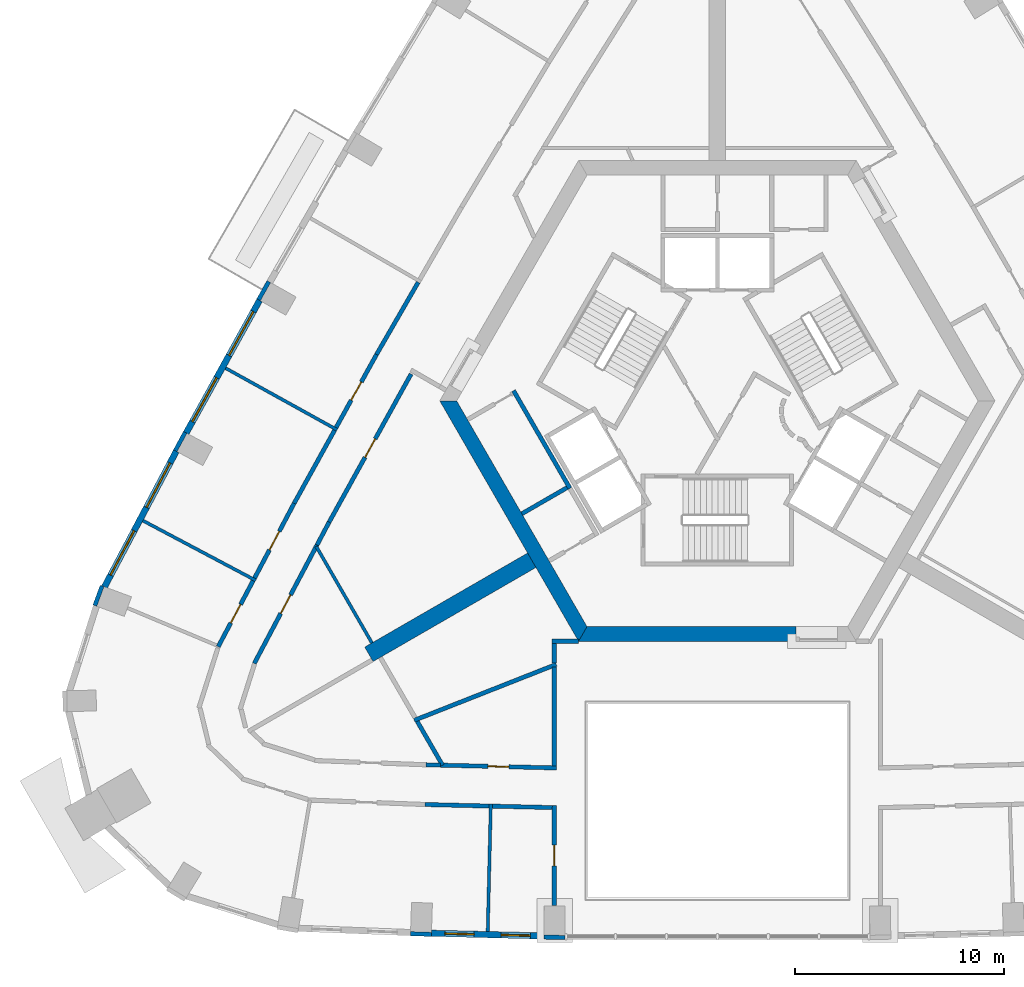
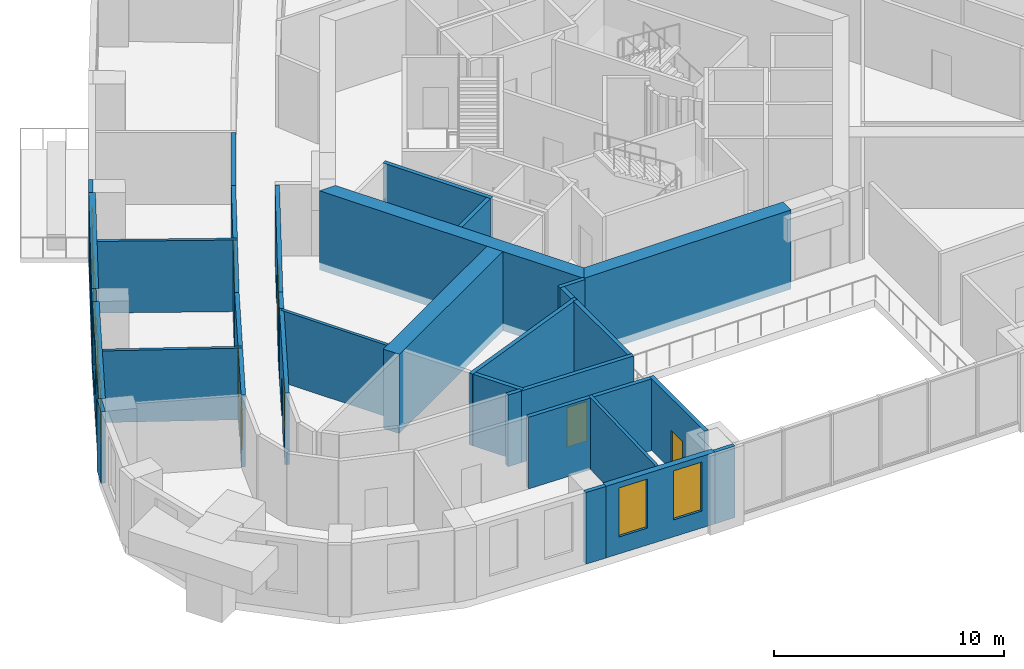
# One storey, part 4 of 13: 35 walls, 7 doors, 6 windows, 13 openings.
"""IFC4 building model written with IfcOpenShell, lengths in metres."""

from ifc_helpers import new_model, si_unit, direction, frame, frame_2d, origin, place, context, subcontext, project, spatial, polyline, rectangle, outline, extrude, material, layer, layer_set, type_object, element, fill, save


model = new_model("IFC4")

# Units and contexts
model_context = context("Model", 3, precision=1e-05, world=origin(), true_north=direction((0.0, 1.0)))
body_context = subcontext(model_context, "Body", "Model", "MODEL_VIEW")
ifc_project = project(units=[si_unit("LENGTHUNIT", "METRE"), si_unit("AREAUNIT", "SQUARE_METRE"), si_unit("VOLUMEUNIT", "CUBIC_METRE"), si_unit("PLANEANGLEUNIT", "RADIAN"), si_unit("MASSUNIT", "GRAM", prefix="KILO")], contexts=[model_context])

# Site, building, storey
site_placement = place(None, origin())
site = spatial("IfcSite", under=ifc_project, at=site_placement, CompositionType="ELEMENT")
building_placement = place(site_placement, origin())
building = spatial("IfcBuilding", under=site, at=building_placement, Name="Entoto Arch Interchange Tower", CompositionType="ELEMENT")
storey_placement = place(building_placement, frame((0.0, 0.0, 223.39990234375)))
storey = spatial("IfcBuildingStorey", under=building, at=storey_placement, Name="L50", CompositionType="ELEMENT", Elevation=223.39990234375)

# Walls
ifc_material_1 = material(Name="Concrete C50/60", Category="concrete")
ifc_layer_1 = layer(ifc_material_1, 0.800048828125)
ifc_layer_set_1 = layer_set([ifc_layer_1], Name="Concrete C50/60")
wall_type_1 = type_object("IfcWallType", Name="Buttress wall 800 C50/60", PredefinedType="SHEAR", material=ifc_layer_set_1)
wall_1_placement = place(storey_placement, frame((-8.876953125, -5.125, -0.39990234375), z_axis=(0.0, 0.0, 1.0), x_axis=(-0.866017533419, -0.500013631625, 0.0)))
element("IfcWall", 1, at=wall_1_placement, inside=storey, type_object=wall_type_1, Name="Buttress wall SW L50", PredefinedType="SHEAR", context=body_context, shape_type="SweptSolid", body=[
    extrude(rectangle(XDim=8.999755859375, YDim=0.800048828125, at=frame_2d((4.5, 0.0))), origin(), (0.0, 0.0, 1.0), 4.199951171875),
])
ifc_layer_2 = layer(ifc_material_1, 0.699951171875)
ifc_layer_set_2 = layer_set([ifc_layer_2], Name="Concrete C50/60")
wall_type_2 = type_object("IfcWallType", Name="Core wall 700 C50/60", PredefinedType="SHEAR", material=ifc_layer_set_2)
wall_2_placement = place(storey_placement, frame((0.0, 0.0, -0.39990234375)))
element("IfcWall", 2, at=wall_2_placement, inside=storey, type_object=wall_type_2, Name="Core wall SW L50", PredefinedType="SHEAR", context=body_context, shape_type="SweptSolid", body=[
    extrude(outline(polyline([(-13.279052734375, 2.5), (-6.639892578125, -9.0), (-6.235107421875, -8.300048828125), (-12.470947265625, 2.5), (-13.279052734375, 2.5)])), origin(), (0.0, 0.0, 1.0), 4.199951171875),
])
wall_3_placement = place(storey_placement, frame((0.0, 0.0, -0.39990234375)))
element("IfcWall", 3, at=wall_3_placement, inside=storey, type_object=wall_type_2, Name="Core wall S L50", PredefinedType="SHEAR", context=body_context, shape_type="SweptSolid", body=[
    extrude(outline(polyline([(3.75, -9.0), (3.75, -8.300048828125), (-6.235107421875, -8.300048828125), (-6.639892578125, -9.0), (3.75, -9.0)])), origin(), (0.0, 0.0, 1.0), 4.199951171875),
])
ifc_material_2 = material(Name="Gypsum board partition on steel studs", Category="steel")
ifc_layer_3 = layer(ifc_material_2, 0.14990234375)
ifc_layer_set_3 = layer_set([ifc_layer_3], Name="Gypsum board partition on steel studs")
wall_type_3 = type_object("IfcWallType", Name="PARTITION 150", PredefinedType="PARTITIONING", material=ifc_layer_set_3)
wall_4_placement = place(storey_placement, frame((-16.52490234375, -9.0791015625, 0.0), z_axis=(0.0, 0.0, 1.0), x_axis=(-0.499943228252, 0.866058178487, 0.0)))
element("IfcWall", 4, at=wall_4_placement, inside=storey, type_object=wall_type_3, Name="wall:L50:p113", PredefinedType="PARTITIONING", context=body_context, shape_type="SweptSolid", body=[
    extrude(rectangle(XDim=5.32861328125, YDim=0.14990234375, at=frame_2d((2.664306640625, 0.0))), origin(), (0.0, 0.0, 1.0), 3.800048828125),
])
wall_5_placement = place(storey_placement, frame((-18.18896484375, 1.111083984375, 0.0), z_axis=(0.0, 0.0, 1.0), x_axis=(-0.874928335558, 0.484252421405, 0.0)))
element("IfcWall", 5, at=wall_5_placement, inside=storey, type_object=wall_type_3, Name="wall:L50:p126", PredefinedType="PARTITIONING", context=body_context, shape_type="SweptSolid", body=[
    extrude(rectangle(XDim=6.099853515625, YDim=0.14990234375, at=frame_2d((3.0498046875, 0.0))), origin(), (0.0, 0.0, 1.0), 3.800048828125),
])
wall_6_placement = place(storey_placement, frame((-22.0869140625, -6.089111328125, 0.0), z_axis=(0.0, 0.0, 1.0), x_axis=(-0.883611647524, 0.468220521079, 0.0)))
element("IfcWall", 6, at=wall_6_placement, inside=storey, type_object=wall_type_3, Name="wall:L50:p127", PredefinedType="PARTITIONING", context=body_context, shape_type="SweptSolid", body=[
    extrude(rectangle(XDim=6.10009765625, YDim=0.14990234375, at=frame_2d((3.050048828125, 0.0))), origin(), (0.0, 0.0, 1.0), 3.800048828125),
])
wall_7_placement = place(storey_placement, frame((-10.837890625, -16.785888671875, 0.0), z_axis=(0.0, 0.0, 1.0), x_axis=(-0.024134212614, -0.999708727471, 0.0)))
element("IfcWall", 7, at=wall_7_placement, inside=storey, type_object=wall_type_3, Name="wall:L50:p130", PredefinedType="PARTITIONING", context=body_context, shape_type="SweptSolid", body=[
    extrude(rectangle(XDim=6.099853515625, YDim=0.14990234375, at=frame_2d((3.0498046875, 0.0))), origin(), (0.0, 0.0, 1.0), 3.800048828125),
])

# Wall, opening, door
ifc_layer_4 = layer(ifc_material_2, 0.199951171875)
ifc_layer_set_4 = layer_set([ifc_layer_4], Name="Gypsum board partition on steel studs")
wall_type_4 = type_object("IfcWallType", Name="PARTITION 200", PredefinedType="PARTITIONING", material=ifc_layer_set_4)
wall_8_placement = place(storey_placement, frame((-14.652099609375, 3.782958984375, 0.0), z_axis=(0.0, 0.0, 1.0), x_axis=(-0.484249955458, -0.874929700398, 0.0)))
wall_8 = element("IfcWall", 8, at=wall_8_placement, inside=storey, type_object=wall_type_4, Name="wall:L50:p025", PredefinedType="PARTITIONING", context=body_context, shape_type="SweptSolid", body=[
    extrude(rectangle(XDim=8.098876953125, YDim=0.199951171875, at=frame_2d((4.04931640625, 0.0))), origin(), (0.0, 0.0, 1.0), 3.800048828125),
])
opening_1_placement = place(wall_8_placement, frame((3.550048828125, 0.0, 0.0)))
opening_1 = element("IfcOpeningElement", 9, at=opening_1_placement, cuts=wall_8, Name="Opening L50-D21", PredefinedType="OPENING", context=body_context, shape_type="SweptSolid", body=[
    extrude(rectangle(XDim=1.0, YDim=2.10009765625, at=frame_2d((0.5, 1.050048828125))), frame((0.0, 0.10986328125, 0.0), z_axis=(0.0, -1.0, 0.0), x_axis=(1.0, 0.0, 0.0)), (0.0, 0.0, 1.0), 0.219970703125),
])
ifc_material_3 = material(Name="Timber door leaf in Steel S235 frame", Category="steel")
door_type = type_object("IfcDoorType", Name="DOOR DS-10 1000x2100", OperationType="SINGLE_SWING_LEFT", PredefinedType="DOOR", material=ifc_material_3)
door_1_placement = place(opening_1_placement, origin())
door_1 = element("IfcDoor", 10, at=door_1_placement, inside=storey, type_object=door_type, Name="door:L50:21", OperationType="SINGLE_SWING_LEFT", OverallHeight=2.10009765625, OverallWidth=1.0, PredefinedType="DOOR", context=body_context, shape_type="SweptSolid", body=[
    extrude(rectangle(XDim=1.0, YDim=2.10009765625, at=frame_2d((0.5, 1.050048828125))), frame((0.0, 0.02490234375, 0.0), z_axis=(0.0, -1.0, 0.0), x_axis=(1.0, 0.0, 0.0)), (0.0, 0.0, 1.0), 0.050048828125),
])
fill(opening_1, door_1)

# Wall
wall_9_placement = place(storey_placement, frame((-18.573974609375, -3.302978515625, 0.0), z_axis=(0.0, 0.0, 1.0), x_axis=(-0.468458328651, -0.883485593724, 0.0)))
element("IfcWall", 11, at=wall_9_placement, inside=storey, type_object=wall_type_4, Name="wall:L50:p026", PredefinedType="PARTITIONING", context=body_context, shape_type="SweptSolid", body=[
    extrude(rectangle(XDim=1.23828125, YDim=0.199951171875, at=frame_2d((0.619140625, 0.0))), origin(), (0.0, 0.0, 1.0), 3.800048828125),
])

# Wall, opening, door
wall_10_placement = place(storey_placement, frame((-13.24609375, -14.927001953125, 0.0), z_axis=(0.0, 0.0, 1.0), x_axis=(0.999708107757, -0.024159869312, 0.0)))
wall_10 = element("IfcWall", 12, at=wall_10_placement, inside=storey, type_object=wall_type_4, Name="wall:L50:p027", PredefinedType="PARTITIONING", context=body_context, shape_type="SweptSolid", body=[
    extrude(rectangle(XDim=5.5478515625, YDim=0.199951171875, at=frame_2d((2.77392578125, 0.0))), origin(), (0.0, 0.0, 1.0), 3.800048828125),
])
opening_2_placement = place(wall_10_placement, frame((2.27392578125, 0.0, 0.0)))
opening_2 = element("IfcOpeningElement", 13, at=opening_2_placement, cuts=wall_10, Name="Opening L50-D22", PredefinedType="OPENING", context=body_context, shape_type="SweptSolid", body=[
    extrude(rectangle(XDim=1.0, YDim=2.10009765625, at=frame_2d((0.5, 1.050048828125))), frame((0.0, 0.10986328125, 0.0), z_axis=(0.0, -1.0, 0.0), x_axis=(1.0, 0.0, 0.0)), (0.0, 0.0, 1.0), 0.219970703125),
])
door_2_placement = place(opening_2_placement, origin())
door_2 = element("IfcDoor", 14, at=door_2_placement, inside=storey, type_object=door_type, Name="door:L50:22", OperationType="SINGLE_SWING_LEFT", OverallHeight=2.10009765625, OverallWidth=1.0, PredefinedType="DOOR", context=body_context, shape_type="SweptSolid", body=[
    extrude(rectangle(XDim=1.0, YDim=2.10009765625, at=frame_2d((0.5, 1.050048828125))), frame((0.0, 0.02490234375, 0.0), z_axis=(0.0, -1.0, 0.0), x_axis=(1.0, 0.0, 0.0)), (0.0, 0.0, 1.0), 0.050048828125),
])
fill(opening_2, door_2)

wall_11_placement = place(storey_placement, frame((-19.154052734375, -4.39697265625, 0.0), z_axis=(0.0, 0.0, 1.0), x_axis=(-0.468118749105, -0.883665568378, 0.0)))
wall_11 = element("IfcWall", 15, at=wall_11_placement, inside=storey, type_object=wall_type_4, Name="wall:L50:p028", PredefinedType="PARTITIONING", context=body_context, shape_type="SweptSolid", body=[
    extrude(rectangle(XDim=6.40869140625, YDim=0.199951171875, at=frame_2d((3.204345703125, 0.0))), origin(), (0.0, 0.0, 1.0), 3.800048828125),
])
opening_3_placement = place(wall_11_placement, frame((2.7041015625, 0.0, 0.0)))
opening_3 = element("IfcOpeningElement", 16, at=opening_3_placement, cuts=wall_11, Name="Opening L50-D23", PredefinedType="OPENING", context=body_context, shape_type="SweptSolid", body=[
    extrude(rectangle(XDim=1.0, YDim=2.10009765625, at=frame_2d((0.5, 1.050048828125))), frame((0.0, 0.10986328125, 0.0), z_axis=(0.0, -1.0, 0.0), x_axis=(1.0, 0.0, 0.0)), (0.0, 0.0, 1.0), 0.219970703125),
])
door_3_placement = place(opening_3_placement, origin())
door_3 = element("IfcDoor", 17, at=door_3_placement, inside=storey, type_object=door_type, Name="door:L50:23", OperationType="SINGLE_SWING_LEFT", OverallHeight=2.10009765625, OverallWidth=1.0, PredefinedType="DOOR", context=body_context, shape_type="SweptSolid", body=[
    extrude(rectangle(XDim=1.0, YDim=2.10009765625, at=frame_2d((0.5, 1.050048828125))), frame((0.0, 0.02490234375, 0.0), z_axis=(0.0, -1.0, 0.0), x_axis=(1.0, 0.0, 0.0)), (0.0, 0.0, 1.0), 0.050048828125),
])
fill(opening_3, door_3)

# Wall
wall_12_placement = place(storey_placement, frame((-13.928955078125, -14.910888671875, 0.0), z_axis=(0.0, 0.0, 1.0), x_axis=(0.999721713829, -0.023590144123, 0.0)))
element("IfcWall", 18, at=wall_12_placement, inside=storey, type_object=wall_type_4, Name="wall:L50:p034", PredefinedType="PARTITIONING", context=body_context, shape_type="SweptSolid", body=[
    extrude(rectangle(XDim=0.68310546875, YDim=0.199951171875, at=frame_2d((0.341552734375, 0.0))), origin(), (0.0, 0.0, 1.0), 3.800048828125),
])

# Wall, opening, door
wall_13_placement = place(storey_placement, frame((-18.239990234375, 1.22509765625, 0.0), z_axis=(0.0, 0.0, 1.0), x_axis=(0.484411997038, 0.874839995156, 0.0)))
wall_13 = element("IfcWall", 19, at=wall_13_placement, inside=storey, type_object=wall_type_4, Name="wall:L50:p055", PredefinedType="PARTITIONING", context=body_context, shape_type="SweptSolid", body=[
    extrude(rectangle(XDim=3.99267578125, YDim=0.199951171875, at=frame_2d((1.996337890625, 0.0))), origin(), (0.0, 0.0, 1.0), 3.800048828125),
])
opening_4_placement = place(wall_13_placement, frame((1.49609375, 0.0, 0.0)))
opening_4 = element("IfcOpeningElement", 20, at=opening_4_placement, cuts=wall_13, Name="Opening L50-D10", PredefinedType="OPENING", context=body_context, shape_type="SweptSolid", body=[
    extrude(rectangle(XDim=1.0, YDim=2.10009765625, at=frame_2d((0.5, 1.050048828125))), frame((0.0, 0.10986328125, 0.0), z_axis=(0.0, -1.0, 0.0), x_axis=(1.0, 0.0, 0.0)), (0.0, 0.0, 1.0), 0.219970703125),
])
door_4_placement = place(opening_4_placement, origin())
door_4 = element("IfcDoor", 21, at=door_4_placement, inside=storey, type_object=door_type, Name="door:L50:10", OperationType="SINGLE_SWING_LEFT", OverallHeight=2.10009765625, OverallWidth=1.0, PredefinedType="DOOR", context=body_context, shape_type="SweptSolid", body=[
    extrude(rectangle(XDim=1.0, YDim=2.10009765625, at=frame_2d((0.5, 1.050048828125))), frame((0.0, 0.02490234375, 0.0), z_axis=(0.0, -1.0, 0.0), x_axis=(1.0, 0.0, 0.0)), (0.0, 0.0, 1.0), 0.050048828125),
])
fill(opening_4, door_4)

# Wall
wall_14_placement = place(storey_placement, frame((-16.305908203125, 4.718017578125, 0.0), z_axis=(0.0, 0.0, 1.0), x_axis=(0.499803646539, 0.866138738832, 0.0)))
element("IfcWall", 22, at=wall_14_placement, inside=storey, type_object=wall_type_4, Name="wall:L50:p056", PredefinedType="PARTITIONING", context=body_context, shape_type="SweptSolid", body=[
    extrude(rectangle(XDim=3.9912109375, YDim=0.199951171875, at=frame_2d((1.99560546875, 0.0))), origin(), (0.0, 0.0, 1.0), 3.800048828125),
])

# Wall, opening, door
wall_15_placement = place(storey_placement, frame((-22.139892578125, -5.97607421875, 0.0), z_axis=(0.0, 0.0, 1.0), x_axis=(0.467979143965, 0.883739509592, 0.0)))
wall_15 = element("IfcWall", 23, at=wall_15_placement, inside=storey, type_object=wall_type_4, Name="wall:L50:p057", PredefinedType="PARTITIONING", context=body_context, shape_type="SweptSolid", body=[
    extrude(rectangle(XDim=4.048828125, YDim=0.199951171875, at=frame_2d((2.0244140625, 0.0))), origin(), (0.0, 0.0, 1.0), 3.800048828125),
])
opening_5_placement = place(wall_15_placement, frame((1.52392578125, 0.0, 0.0)))
opening_5 = element("IfcOpeningElement", 24, at=opening_5_placement, cuts=wall_15, Name="Opening L50-D11", PredefinedType="OPENING", context=body_context, shape_type="SweptSolid", body=[
    extrude(rectangle(XDim=1.0, YDim=2.10009765625, at=frame_2d((0.5, 1.050048828125))), frame((0.0, 0.10986328125, 0.0), z_axis=(0.0, -1.0, 0.0), x_axis=(1.0, 0.0, 0.0)), (0.0, 0.0, 1.0), 0.219970703125),
])
door_5_placement = place(opening_5_placement, origin())
door_5 = element("IfcDoor", 25, at=door_5_placement, inside=storey, type_object=door_type, Name="door:L50:11", OperationType="SINGLE_SWING_LEFT", OverallHeight=2.10009765625, OverallWidth=1.0, PredefinedType="DOOR", context=body_context, shape_type="SweptSolid", body=[
    extrude(rectangle(XDim=1.0, YDim=2.10009765625, at=frame_2d((0.5, 1.050048828125))), frame((0.0, 0.02490234375, 0.0), z_axis=(0.0, -1.0, 0.0), x_axis=(1.0, 0.0, 0.0)), (0.0, 0.0, 1.0), 0.050048828125),
])
fill(opening_5, door_5)

# Wall
wall_16_placement = place(storey_placement, frame((-20.2451171875, -2.39794921875, 0.0), z_axis=(0.0, 0.0, 1.0), x_axis=(0.484328424129, 0.874886265511, 0.0)))
element("IfcWall", 26, at=wall_16_placement, inside=storey, type_object=wall_type_4, Name="wall:L50:p058", PredefinedType="PARTITIONING", context=body_context, shape_type="SweptSolid", body=[
    extrude(rectangle(XDim=3.9912109375, YDim=0.199951171875, at=frame_2d((1.99560546875, 0.0))), origin(), (0.0, 0.0, 1.0), 3.800048828125),
])

# Wall, opening, door
wall_17_placement = place(storey_placement, frame((-23.8779296875, -9.256103515625, 0.0), z_axis=(0.0, 0.0, 1.0), x_axis=(0.46795384568, 0.883752905689, 0.0)))
wall_17 = element("IfcWall", 27, at=wall_17_placement, inside=storey, type_object=wall_type_4, Name="wall:L50:p059", PredefinedType="PARTITIONING", context=body_context, shape_type="SweptSolid", body=[
    extrude(rectangle(XDim=3.562255859375, YDim=0.199951171875, at=frame_2d((1.78125, 0.0))), origin(), (0.0, 0.0, 1.0), 3.800048828125),
])
opening_6_placement = place(wall_17_placement, frame((1.281005859375, 0.0, 0.0)))
opening_6 = element("IfcOpeningElement", 28, at=opening_6_placement, cuts=wall_17, Name="Opening L50-D12", PredefinedType="OPENING", context=body_context, shape_type="SweptSolid", body=[
    extrude(rectangle(XDim=1.0, YDim=2.10009765625, at=frame_2d((0.5, 1.050048828125))), frame((0.0, 0.10986328125, 0.0), z_axis=(0.0, -1.0, 0.0), x_axis=(1.0, 0.0, 0.0)), (0.0, 0.0, 1.0), 0.219970703125),
])
door_6_placement = place(opening_6_placement, origin())
door_6 = element("IfcDoor", 29, at=door_6_placement, inside=storey, type_object=door_type, Name="door:L50:12", OperationType="SINGLE_SWING_LEFT", OverallHeight=2.10009765625, OverallWidth=1.0, PredefinedType="DOOR", context=body_context, shape_type="SweptSolid", body=[
    extrude(rectangle(XDim=1.0, YDim=2.10009765625, at=frame_2d((0.5, 1.050048828125))), frame((0.0, 0.02490234375, 0.0), z_axis=(0.0, -1.0, 0.0), x_axis=(1.0, 0.0, 0.0)), (0.0, 0.0, 1.0), 0.050048828125),
])
fill(opening_6, door_6)

# Walls
wall_18_placement = place(storey_placement, frame((-10.9150390625, -16.884033203125, 0.0), z_axis=(0.0, 0.0, 1.0), x_axis=(-0.999710384303, 0.024065483947, 0.0)))
element("IfcWall", 30, at=wall_18_placement, inside=storey, type_object=wall_type_4, Name="wall:L50:p064", PredefinedType="PARTITIONING", context=body_context, shape_type="SweptSolid", body=[
    extrude(rectangle(XDim=3.073974609375, YDim=0.199951171875, at=frame_2d((1.537109375, 0.0))), origin(), (0.0, 0.0, 1.0), 3.800048828125),
])
wall_19_placement = place(storey_placement, frame((-7.89990234375, -16.95703125, 0.0), z_axis=(0.0, 0.0, 1.0), x_axis=(-0.999709338637, 0.024108883071, 0.0)))
element("IfcWall", 31, at=wall_19_placement, inside=storey, type_object=wall_type_4, Name="wall:L50:p066", PredefinedType="PARTITIONING", context=body_context, shape_type="SweptSolid", body=[
    extrude(rectangle(XDim=2.86572265625, YDim=0.199951171875, at=frame_2d((1.432861328125, 0.0))), origin(), (0.0, 0.0, 1.0), 3.800048828125),
])
wall_20_placement = place(storey_placement, frame((-7.18798828125, -1.64990234375, 0.0), z_axis=(0.0, 0.0, 1.0), x_axis=(-0.866022959057, -0.500004234368, 0.0)))
element("IfcWall", 32, at=wall_20_placement, inside=storey, type_object=wall_type_4, Name="wall:L50:p078", PredefinedType="PARTITIONING", context=body_context, shape_type="SweptSolid", body=[
    extrude(rectangle(XDim=2.5, YDim=0.199951171875, at=frame_2d((1.25, 0.0))), origin(), (0.0, 0.0, 1.0), 3.800048828125),
])
wall_21_placement = place(storey_placement, frame((-9.7509765625, 2.989990234375, 0.0), z_axis=(0.0, 0.0, 1.0), x_axis=(0.499955951776, -0.866050833545, 0.0)))
element("IfcWall", 33, at=wall_21_placement, inside=storey, type_object=wall_type_4, Name="wall:L50:p080", PredefinedType="PARTITIONING", context=body_context, shape_type="SweptSolid", body=[
    extrude(rectangle(XDim=5.400390625, YDim=0.199951171875, at=frame_2d((2.7001953125, 0.0))), origin(), (0.0, 0.0, 1.0), 3.800048828125),
])
wall_22_placement = place(storey_placement, frame((-7.800048828125, -10.041015625, 0.0), z_axis=(0.0, 0.0, 1.0), x_axis=(0.0, 1.0, 0.0)))
element("IfcWall", 34, at=wall_22_placement, inside=storey, type_object=wall_type_4, Name="wall:L50:p102", PredefinedType="PARTITIONING", context=body_context, shape_type="SweptSolid", body=[
    extrude(rectangle(XDim=0.94189453125, YDim=0.199951171875, at=frame_2d((0.470947265625, 0.0))), origin(), (0.0, 0.0, 1.0), 3.800048828125),
])
wall_23_placement = place(storey_placement, frame((-7.89990234375, -8.9990234375, 0.0), z_axis=(0.0, 0.0, 1.0), x_axis=(1.0, 0.0, 0.0)))
element("IfcWall", 35, at=wall_23_placement, inside=storey, type_object=wall_type_4, Name="wall:L50:p103", PredefinedType="PARTITIONING", context=body_context, shape_type="SweptSolid", body=[
    extrude(rectangle(XDim=1.2587890625, YDim=0.199951171875, at=frame_2d((0.62939453125, 0.0))), origin(), (0.0, 0.0, 1.0), 3.800048828125),
])
wall_24_placement = place(storey_placement, frame((-7.800048828125, -14.958984375, 0.0), z_axis=(0.0, 0.0, 1.0), x_axis=(0.0, 1.0, 0.0)))
element("IfcWall", 36, at=wall_24_placement, inside=storey, type_object=wall_type_4, Name="wall:L50:p104", PredefinedType="PARTITIONING", context=body_context, shape_type="SweptSolid", body=[
    extrude(rectangle(XDim=4.718017578125, YDim=0.199951171875, at=frame_2d((2.35888671875, 0.0))), origin(), (0.0, 0.0, 1.0), 3.800048828125),
])

# Wall, opening, door
wall_25_placement = place(storey_placement, frame((-7.800048828125, -21.64111328125, 0.0), z_axis=(0.0, 0.0, 1.0), x_axis=(0.0, 1.0, 0.0)))
wall_25 = element("IfcWall", 37, at=wall_25_placement, inside=storey, type_object=wall_type_4, Name="wall:L50:p106", PredefinedType="PARTITIONING", context=body_context, shape_type="SweptSolid", body=[
    extrude(rectangle(XDim=4.7822265625, YDim=0.199951171875, at=frame_2d((2.39111328125, 0.0))), origin(), (0.0, 0.0, 1.0), 3.800048828125),
])
opening_7_placement = place(wall_25_placement, frame((1.89111328125, 0.0, 0.0)))
opening_7 = element("IfcOpeningElement", 38, at=opening_7_placement, cuts=wall_25, Name="Opening L50-D15", PredefinedType="OPENING", context=body_context, shape_type="SweptSolid", body=[
    extrude(rectangle(XDim=1.0, YDim=2.10009765625, at=frame_2d((0.5, 1.050048828125))), frame((0.0, 0.10986328125, 0.0), z_axis=(0.0, -1.0, 0.0), x_axis=(1.0, 0.0, 0.0)), (0.0, 0.0, 1.0), 0.219970703125),
])
door_7_placement = place(opening_7_placement, origin())
door_7 = element("IfcDoor", 39, at=door_7_placement, inside=storey, type_object=door_type, Name="door:L50:15", OperationType="SINGLE_SWING_LEFT", OverallHeight=2.10009765625, OverallWidth=1.0, PredefinedType="DOOR", context=body_context, shape_type="SweptSolid", body=[
    extrude(rectangle(XDim=1.0, YDim=2.10009765625, at=frame_2d((0.5, 1.050048828125))), frame((0.0, 0.02490234375, 0.0), z_axis=(0.0, -1.0, 0.0), x_axis=(1.0, 0.0, 0.0)), (0.0, 0.0, 1.0), 0.050048828125),
])
fill(opening_7, door_7)

# Walls
wall_26_placement = place(storey_placement, frame((-7.70703125, -10.10498046875, 0.0), z_axis=(0.0, 0.0, 1.0), x_axis=(-0.930316800812, -0.36675693603, 0.0)))
element("IfcWall", 40, at=wall_26_placement, inside=storey, type_object=wall_type_4, Name="wall:L50:p112", PredefinedType="PARTITIONING", context=body_context, shape_type="SweptSolid", body=[
    extrude(rectangle(XDim=7.3017578125, YDim=0.199951171875, at=frame_2d((3.65087890625, 0.0))), origin(), (0.0, 0.0, 1.0), 3.800048828125),
])
wall_27_placement = place(storey_placement, frame((-13.14599609375, -14.929931640625, 0.0), z_axis=(0.0, 0.0, 1.0), x_axis=(-0.500086091327, 0.865975693228, 0.0)))
element("IfcWall", 41, at=wall_27_placement, inside=storey, type_object=wall_type_4, Name="wall:L50:p115", PredefinedType="PARTITIONING", context=body_context, shape_type="SweptSolid", body=[
    extrude(rectangle(XDim=2.42138671875, YDim=0.199951171875, at=frame_2d((1.210693359375, 0.0))), origin(), (0.0, 0.0, 1.0), 3.800048828125),
])

# Wall, openings, windows
ifc_material_4 = material(Name="Welded tuff (ignimbrite) cladding, warm buff", Category="masonry")
ifc_layer_5 = layer(ifc_material_4, 0.300048828125)
ifc_layer_set_5 = layer_set([ifc_layer_5], Name="Welded tuff (ignimbrite) cladding, warm buff")
wall_type_5 = type_object("IfcWallType", Name="STONE INFILL WALL 300", PredefinedType="STANDARD", material=ifc_layer_set_5)
wall_28_placement = place(storey_placement, frame((-13.680908203125, -22.968994140625, 0.0), z_axis=(0.0, 0.0, 1.0), x_axis=(0.999708030006, -0.024163086341, 0.0)))
wall_28 = element("IfcWall", 42, at=wall_28_placement, inside=storey, type_object=wall_type_5, Name="Facade wall S-02 L50", PredefinedType="STANDARD", context=body_context, shape_type="SweptSolid", body=[
    extrude(rectangle(XDim=5.38525390625, YDim=0.300048828125, at=frame_2d((2.692626953125, 0.0))), origin(), (0.0, 0.0, 1.0), 3.800048828125),
])
opening_8_placement = place(wall_28_placement, frame((0.64599609375, 0.0, 0.89990234375)))
opening_8 = element("IfcOpeningElement", 43, at=opening_8_placement, cuts=wall_28, Name="Opening WO-B", PredefinedType="OPENING", context=body_context, shape_type="SweptSolid", body=[
    extrude(rectangle(XDim=1.39990234375, YDim=2.60009765625, at=frame_2d((0.699951171875, 1.300048828125))), frame((0.0, 0.16015625, 0.0), z_axis=(0.0, -1.0, 0.0), x_axis=(1.0, 0.0, 0.0)), (0.0, 0.0, 1.0), 0.320068359375),
])
opening_9_placement = place(wall_28_placement, frame((3.339111328125, 0.0, 0.89990234375)))
opening_9 = element("IfcOpeningElement", 44, at=opening_9_placement, cuts=wall_28, Name="Opening WO-B", PredefinedType="OPENING", context=body_context, shape_type="SweptSolid", body=[
    extrude(rectangle(XDim=1.39990234375, YDim=2.60009765625, at=frame_2d((0.699951171875, 1.300048828125))), frame((0.0, 0.16015625, 0.0), z_axis=(0.0, -1.0, 0.0), x_axis=(1.0, 0.0, 0.0)), (0.0, 0.0, 1.0), 0.320068359375),
])
ifc_material_5 = material(Name="Clear glass, low-e double glazed", Category="glass")
window_type_1 = type_object("IfcWindowType", Name="WINDOW WO-B 1400x2600", PartitioningType="DOUBLE_PANEL_VERTICAL", PredefinedType="WINDOW", material=ifc_material_5)
window_1_placement = place(opening_8_placement, origin())
window_1 = element("IfcWindow", 45, at=window_1_placement, inside=storey, type_object=window_type_1, Name="Window WO-B S-02 L50", OverallHeight=2.60009765625, OverallWidth=1.39990234375, PartitioningType="SINGLE_PANEL", PredefinedType="WINDOW", context=body_context, shape_type="SweptSolid", body=[
    extrude(rectangle(XDim=1.39990234375, YDim=2.60009765625, at=frame_2d((0.699951171875, 1.300048828125))), frame((0.0, 0.030029296875, 0.0), z_axis=(0.0, -1.0, 0.0), x_axis=(1.0, 0.0, 0.0)), (0.0, 0.0, 1.0), 0.06005859375),
])
fill(opening_8, window_1)
window_2_placement = place(opening_9_placement, origin())
window_2 = element("IfcWindow", 46, at=window_2_placement, inside=storey, type_object=window_type_1, Name="Window WO-B S-02 L50", OverallHeight=2.60009765625, OverallWidth=1.39990234375, PartitioningType="SINGLE_PANEL", PredefinedType="WINDOW", context=body_context, shape_type="SweptSolid", body=[
    extrude(rectangle(XDim=1.39990234375, YDim=2.60009765625, at=frame_2d((0.699951171875, 1.300048828125))), frame((0.0, 0.030029296875, 0.0), z_axis=(0.0, -1.0, 0.0), x_axis=(1.0, 0.0, 0.0)), (0.0, 0.0, 1.0), 0.06005859375),
])
fill(opening_9, window_2)

wall_29_placement = place(storey_placement, frame((-21.902099609375, 7.30908203125, 0.0), z_axis=(0.0, 0.0, 1.0), x_axis=(-0.484163461668, -0.87497756679, 0.0)))
wall_29 = element("IfcWall", 47, at=wall_29_placement, inside=storey, type_object=wall_type_5, Name="Facade wall NW-04 L50", PredefinedType="STANDARD", context=body_context, shape_type="SweptSolid", body=[
    extrude(rectangle(XDim=7.2470703125, YDim=0.300048828125, at=frame_2d((3.62353515625, 0.0))), origin(), (0.0, 0.0, 1.0), 3.800048828125),
])
opening_10_placement = place(wall_29_placement, frame((0.612060546875, 0.0, 0.89990234375)))
opening_10 = element("IfcOpeningElement", 48, at=opening_10_placement, cuts=wall_29, Name="Opening WO-A", PredefinedType="OPENING", context=body_context, shape_type="SweptSolid", body=[
    extrude(rectangle(XDim=2.39990234375, YDim=2.60009765625, at=frame_2d((1.199951171875, 1.300048828125))), frame((0.0, 0.16015625, 0.0), z_axis=(0.0, -1.0, 0.0), x_axis=(1.0, 0.0, 0.0)), (0.0, 0.0, 1.0), 0.320068359375),
])
opening_11_placement = place(wall_29_placement, frame((4.235107421875, 0.0, 0.89990234375)))
opening_11 = element("IfcOpeningElement", 49, at=opening_11_placement, cuts=wall_29, Name="Opening WO-A", PredefinedType="OPENING", context=body_context, shape_type="SweptSolid", body=[
    extrude(rectangle(XDim=2.39990234375, YDim=2.60009765625, at=frame_2d((1.199951171875, 1.300048828125))), frame((0.0, 0.16015625, 0.0), z_axis=(0.0, -1.0, 0.0), x_axis=(1.0, 0.0, 0.0)), (0.0, 0.0, 1.0), 0.320068359375),
])
window_type_2 = type_object("IfcWindowType", Name="WINDOW WO-A 2400x2600", PartitioningType="DOUBLE_PANEL_VERTICAL", PredefinedType="WINDOW", material=ifc_material_5)
window_3_placement = place(opening_10_placement, origin())
window_3 = element("IfcWindow", 50, at=window_3_placement, inside=storey, type_object=window_type_2, Name="Window WO-A NW-04 L50", OverallHeight=2.60009765625, OverallWidth=2.39990234375, PartitioningType="SINGLE_PANEL", PredefinedType="WINDOW", context=body_context, shape_type="SweptSolid", body=[
    extrude(rectangle(XDim=2.39990234375, YDim=2.60009765625, at=frame_2d((1.199951171875, 1.300048828125))), frame((0.0, 0.030029296875, 0.0), z_axis=(0.0, -1.0, 0.0), x_axis=(1.0, 0.0, 0.0)), (0.0, 0.0, 1.0), 0.06005859375),
])
fill(opening_10, window_3)
window_4_placement = place(opening_11_placement, origin())
window_4 = element("IfcWindow", 51, at=window_4_placement, inside=storey, type_object=window_type_2, Name="Window WO-A NW-04 L50", OverallHeight=2.60009765625, OverallWidth=2.39990234375, PartitioningType="SINGLE_PANEL", PredefinedType="WINDOW", context=body_context, shape_type="SweptSolid", body=[
    extrude(rectangle(XDim=2.39990234375, YDim=2.60009765625, at=frame_2d((1.199951171875, 1.300048828125))), frame((0.0, 0.030029296875, 0.0), z_axis=(0.0, -1.0, 0.0), x_axis=(1.0, 0.0, 0.0)), (0.0, 0.0, 1.0), 0.06005859375),
])
fill(opening_11, window_4)

wall_30_placement = place(storey_placement, frame((-25.886962890625, 0.090087890625, 0.0), z_axis=(0.0, 0.0, 1.0), x_axis=(-0.468020680141, -0.8837175131, 0.0)))
wall_30 = element("IfcWall", 52, at=wall_30_placement, inside=storey, type_object=wall_type_5, Name="Facade wall NW-05 L50", PredefinedType="STANDARD", context=body_context, shape_type="SweptSolid", body=[
    extrude(rectangle(XDim=7.339599609375, YDim=0.300048828125, at=frame_2d((3.669921875, 0.0))), origin(), (0.0, 0.0, 1.0), 3.800048828125),
])
opening_12_placement = place(wall_30_placement, frame((0.635009765625, 0.0, 0.89990234375)))
opening_12 = element("IfcOpeningElement", 53, at=opening_12_placement, cuts=wall_30, Name="Opening WO-A", PredefinedType="OPENING", context=body_context, shape_type="SweptSolid", body=[
    extrude(rectangle(XDim=2.39990234375, YDim=2.60009765625, at=frame_2d((1.199951171875, 1.300048828125))), frame((0.0, 0.16015625, 0.0), z_axis=(0.0, -1.0, 0.0), x_axis=(1.0, 0.0, 0.0)), (0.0, 0.0, 1.0), 0.320068359375),
])
opening_13_placement = place(wall_30_placement, frame((4.304931640625, 0.0, 0.89990234375)))
opening_13 = element("IfcOpeningElement", 54, at=opening_13_placement, cuts=wall_30, Name="Opening WO-A", PredefinedType="OPENING", context=body_context, shape_type="SweptSolid", body=[
    extrude(rectangle(XDim=2.39990234375, YDim=2.60009765625, at=frame_2d((1.199951171875, 1.300048828125))), frame((0.0, 0.16015625, 0.0), z_axis=(0.0, -1.0, 0.0), x_axis=(1.0, 0.0, 0.0)), (0.0, 0.0, 1.0), 0.320068359375),
])
window_5_placement = place(opening_12_placement, origin())
window_5 = element("IfcWindow", 55, at=window_5_placement, inside=storey, type_object=window_type_2, Name="Window WO-A NW-05 L50", OverallHeight=2.60009765625, OverallWidth=2.39990234375, PartitioningType="SINGLE_PANEL", PredefinedType="WINDOW", context=body_context, shape_type="SweptSolid", body=[
    extrude(rectangle(XDim=2.39990234375, YDim=2.60009765625, at=frame_2d((1.199951171875, 1.300048828125))), frame((0.0, 0.030029296875, 0.0), z_axis=(0.0, -1.0, 0.0), x_axis=(1.0, 0.0, 0.0)), (0.0, 0.0, 1.0), 0.06005859375),
])
fill(opening_12, window_5)
window_6_placement = place(opening_13_placement, origin())
window_6 = element("IfcWindow", 56, at=window_6_placement, inside=storey, type_object=window_type_2, Name="Window WO-A NW-05 L50", OverallHeight=2.60009765625, OverallWidth=2.39990234375, PartitioningType="SINGLE_PANEL", PredefinedType="WINDOW", context=body_context, shape_type="SweptSolid", body=[
    extrude(rectangle(XDim=2.39990234375, YDim=2.60009765625, at=frame_2d((1.199951171875, 1.300048828125))), frame((0.0, 0.030029296875, 0.0), z_axis=(0.0, -1.0, 0.0), x_axis=(1.0, 0.0, 0.0)), (0.0, 0.0, 1.0), 0.06005859375),
])
fill(opening_13, window_6)

# Walls
ifc_layer_6 = layer(ifc_material_4, 0.199951171875)
ifc_layer_set_6 = layer_set([ifc_layer_6], Name="Welded tuff (ignimbrite) cladding, warm buff")
wall_type_6 = type_object("IfcWallType", Name="STONE PIER CLADDING 200", PredefinedType="STANDARD", material=ifc_layer_set_6)
for number, where, z_axis, x_axis, name in (
    (57, (-21.4580078125, 8.205078125, 0.0), (0.0, 0.0, 1.0), (-0.491743606947, -0.87074004446, 0.0), "Stone pier NW04 L50"),
    (58, (-25.4599609375, 0.9951171875, 0.0), (0.0, 0.0, 1.0), (-0.473852444207, -0.880604259085, 0.0), "Stone pier NW05 L50"),
):
    element("IfcWall", number, at=place(storey_placement, frame(where, z_axis=z_axis, x_axis=x_axis)), inside=storey, type_object=wall_type_6, Name=name, PredefinedType="STANDARD", context=body_context, shape_type="SweptSolid", body=[
        extrude(rectangle(XDim=1.00048828125, YDim=0.199951171875, at=frame_2d((0.500244140625, 0.0))), origin(), (0.0, 0.0, 1.0), 3.800048828125),
    ])
wall_31_placement = place(storey_placement, frame((-29.43310546875, -6.35400390625, 0.0), z_axis=(0.0, 0.0, 1.0), x_axis=(-0.346892928577, -0.937904737222, 0.0)))
element("IfcWall", 59, at=wall_31_placement, inside=storey, type_object=wall_type_6, Name="Stone pier NW06 L50", PredefinedType="STANDARD", context=body_context, shape_type="SweptSolid", body=[
    extrude(rectangle(XDim=1.0, YDim=0.199951171875, at=frame_2d((0.5, 0.0))), origin(), (0.0, 0.0, 1.0), 3.800048828125),
])
wall_32_placement = place(storey_placement, frame((-14.680908203125, -22.989990234375, 0.0), z_axis=(0.0, 0.0, 1.0), x_axis=(0.999423561854, -0.033949138587, 0.0)))
element("IfcWall", 60, at=wall_32_placement, inside=storey, type_object=wall_type_6, Name="Stone pier S02 L50", PredefinedType="STANDARD", context=body_context, shape_type="SweptSolid", body=[
    extrude(rectangle(XDim=0.99951171875, YDim=0.199951171875, at=frame_2d((0.499755859375, 0.0))), origin(), (0.0, 0.0, 1.0), 3.800048828125),
])
wall_33_placement = place(storey_placement, frame((-8.299072265625, -23.154052734375, 0.0), z_axis=(0.0, 0.0, 1.0), x_axis=(0.999903186316, -0.013914668364, 0.0)))
element("IfcWall", 61, at=wall_33_placement, inside=storey, type_object=wall_type_6, Name="Stone pier S03 L50", PredefinedType="STANDARD", context=body_context, shape_type="SweptSolid", body=[
    extrude(rectangle(XDim=1.0, YDim=0.199951171875, at=frame_2d((0.5, 0.0))), origin(), (0.0, 0.0, 1.0), 3.800048828125),
])

save(model, "model.ifc")
